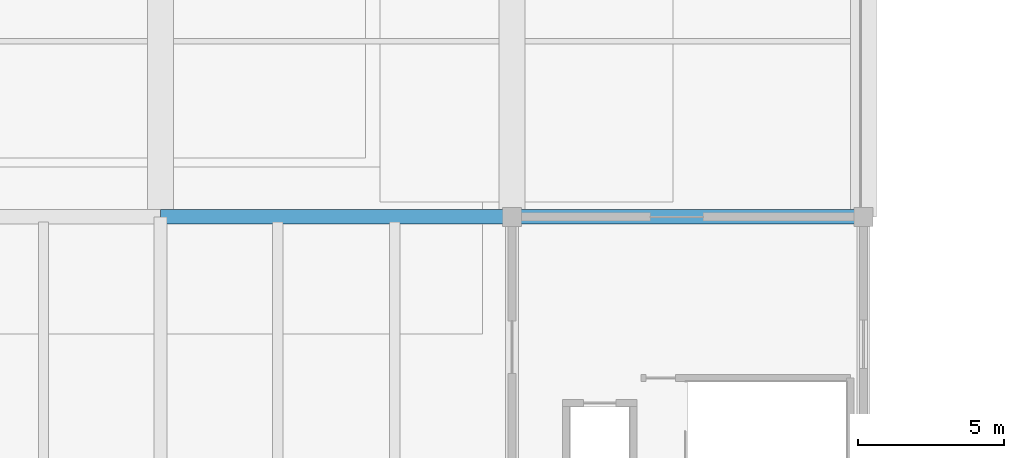
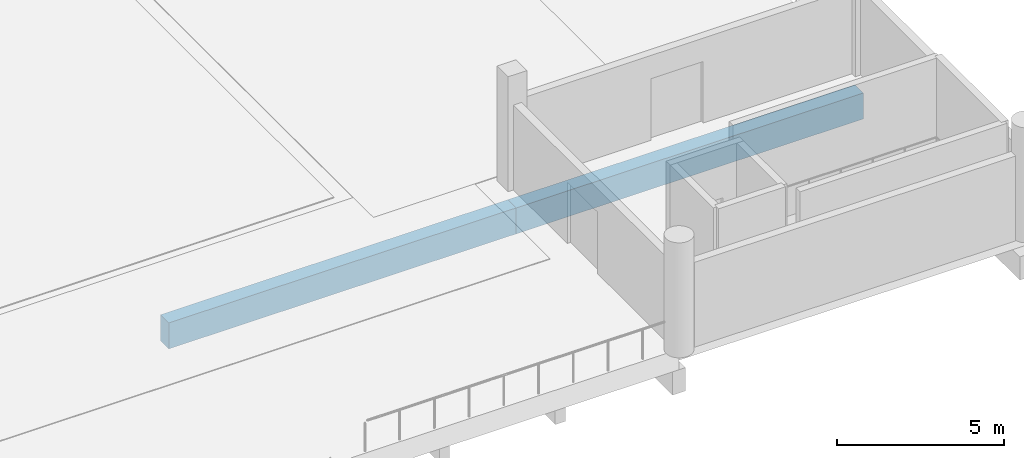
# One storey, part 11 of 111: 2 beams.
"""IFC4 building model written with IfcOpenShell, lengths in metres."""

from ifc_helpers import new_model, si_unit, direction, frame, origin, origin_2d, place, context, subcontext, project, spatial, rectangle, extrude, material, material_profile, profile_set, type_object, element, save


model = new_model("IFC4")

# Units and contexts
model_context = context("Model", 3, precision=1e-05, world=origin(), true_north=direction((0.0, 1.0)))
body_context = subcontext(model_context, "Body", "Model", "MODEL_VIEW")
ifc_project = project(units=[si_unit("LENGTHUNIT", "METRE"), si_unit("AREAUNIT", "SQUARE_METRE"), si_unit("VOLUMEUNIT", "CUBIC_METRE"), si_unit("PLANEANGLEUNIT", "RADIAN"), si_unit("MASSUNIT", "GRAM", prefix="KILO")], contexts=[model_context])

# Site, building, storey
site_placement = place(None, origin())
site = spatial("IfcSite", under=ifc_project, at=site_placement, CompositionType="ELEMENT")
building_placement = place(site_placement, origin())
building = spatial("IfcBuilding", under=site, at=building_placement, Name="Mersad Railyard Sports Hall", CompositionType="ELEMENT")
storey_placement = place(building_placement, frame((0.0, 0.0, 9.0)))
storey = spatial("IfcBuildingStorey", under=building, at=storey_placement, Name="L02", CompositionType="ELEMENT", Elevation=9.0)

# Beams
ifc_material = material(Name="Concrete C50/60", Category="concrete")
ifc_material_profile = material_profile(ifc_material, rectangle(XDim=0.5, YDim=0.949951171875, at=origin_2d()), Name="RC 500x950")
ifc_profile_set = profile_set([ifc_material_profile], Name="Concrete C50/60")
beam_type = type_object("IfcBeamType", Name="STR-BM-B03", PredefinedType="BEAM", material=ifc_profile_set)
for number, where, z_axis, x_axis, name in (
    (1, (67.0, 13.5, -1.22509765625), (1.0, 0.0, 0.0), (0.0, 1.0, 0.0), "Beam B03-0429"),
    (2, (79.0, 13.5, -1.22509765625), (1.0, 0.0, 0.0), (0.0, 1.0, 0.0), "Beam B03-0430"),
):
    element("IfcBeam", number, at=place(storey_placement, frame(where, z_axis=z_axis, x_axis=x_axis)), inside=storey, type_object=beam_type, Name=name, PredefinedType="BEAM", context=body_context, shape_type="SweptSolid", body=[
        extrude(rectangle(XDim=0.5, YDim=0.949951171875, at=origin_2d()), origin(), (0.0, 0.0, 1.0), 12.0),
    ])

save(model, "model.ifc")
